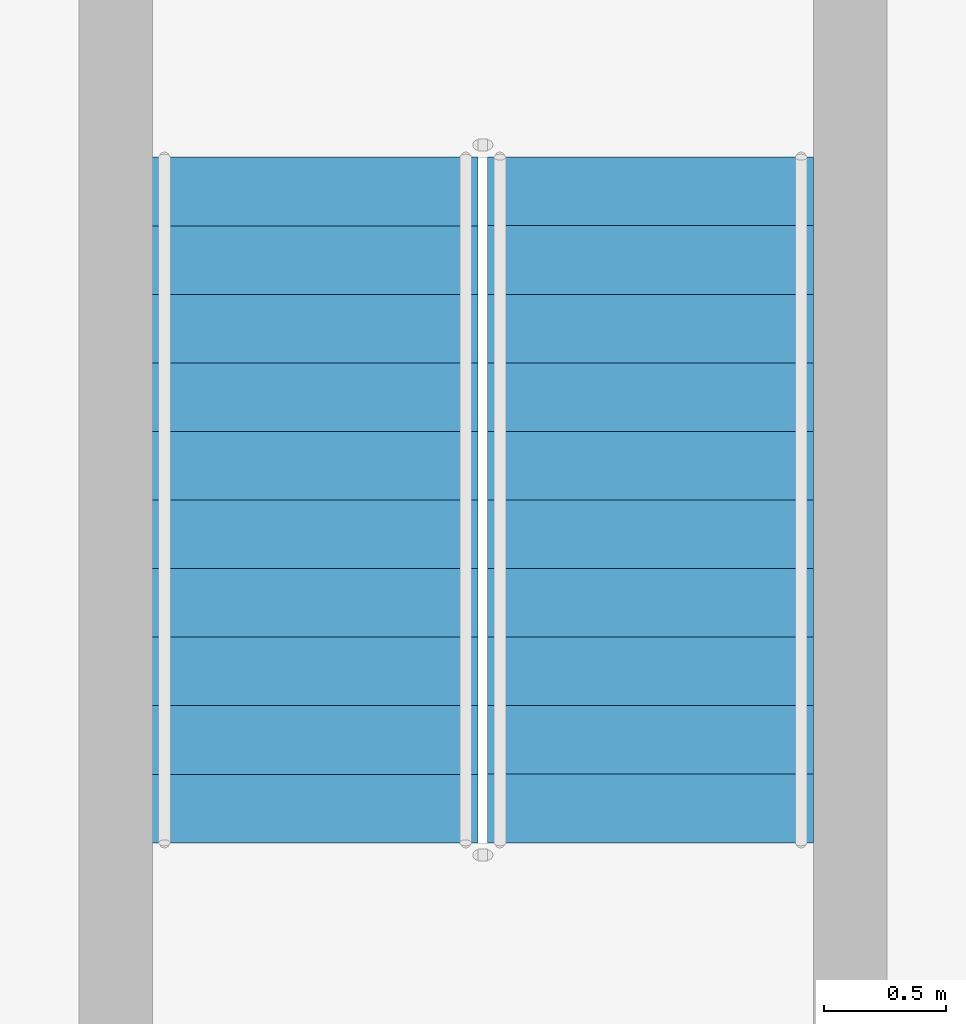
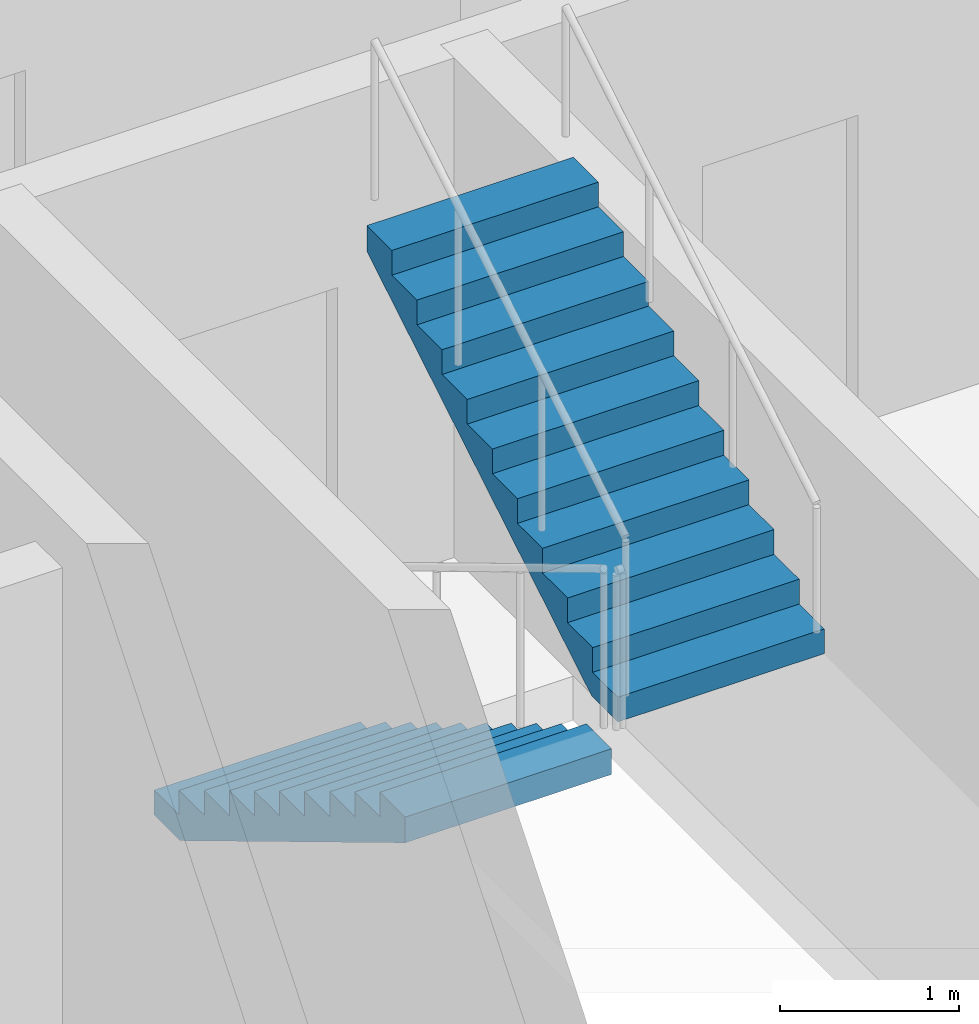
# One storey, part 26 of 34: 2 stair flights, 1 element without a shape of its own.
"""IFC4 building model written with IfcOpenShell, lengths in metres."""

from ifc_helpers import new_model, si_unit, direction, frame, origin, place, context, subcontext, project, spatial, triangles, source, transform, mapped, material, type_object, element, aggregate, save


model = new_model("IFC4")

# Units and contexts
model_context = context("Model", 3, precision=1e-05, world=origin(), true_north=direction((0.0, 1.0)))
body_context = subcontext(model_context, "Body", "Model", "MODEL_VIEW")
ifc_project = project(units=[si_unit("LENGTHUNIT", "METRE"), si_unit("AREAUNIT", "SQUARE_METRE"), si_unit("VOLUMEUNIT", "CUBIC_METRE"), si_unit("PLANEANGLEUNIT", "RADIAN"), si_unit("MASSUNIT", "GRAM", prefix="KILO")], contexts=[model_context])

# Site, building, storey
site_placement = place(None, origin())
site = spatial("IfcSite", under=ifc_project, at=site_placement, CompositionType="ELEMENT")
building_placement = place(site_placement, origin())
building = spatial("IfcBuilding", under=site, at=building_placement, Name="Ogive Portal Towers", CompositionType="ELEMENT")
storey_placement = place(building_placement, frame((0.0, 0.0, 66.800048828125)))
storey = spatial("IfcBuildingStorey", under=building, at=storey_placement, Name="L15", CompositionType="ELEMENT", Elevation=66.800048828125)

# Stair, stair flights
ifc_material = material(Name="Concrete C40/50", Category="concrete")
stair_type = type_object("IfcStairType", Name="INT-STAIR", PredefinedType="HALF_TURN_STAIR", material=ifc_material)
stair_placement = place(storey_placement, origin())
stair = element("IfcStair", 1, at=stair_placement, inside=storey, type_object=stair_type, Name="L15 Exit Stair ST-A4", PredefinedType="HALF_TURN_STAIR")
stair_flight_type = type_object("IfcStairFlightType", Name="INT-FLIGHT", PredefinedType="STRAIGHT", material=ifc_material)
shared_shape = source(origin(), body_context, "Body", "Tessellation", [
    triangles([(0.0, -0.6650390625, 0.0), (0.0, -0.384765625, 0.0), (0.0, -0.197021484375, 0.0), (0.0, -0.0830078125, 0.0), (0.0, -0.024658203125, 0.0), (0.0, -0.003173828125, 0.0), (0.0, 0.0, 0.0), (0.0, 0.003173828125, 0.0), (0.0, 0.024658203125, 0.0), (0.0, 0.0830078125, 0.0), (0.0, 0.197021484375, 0.0), (0.0, 0.384765625, 0.0), (0.0, 0.6650390625, 0.0), (0.0, -0.6650390625, 0.168212890625), (0.0, -0.384765625, 0.168212890625), (0.0, -0.197021484375, 0.168212890625), (0.0, -0.0830078125, 0.168212890625), (0.0, -0.024658203125, 0.168212890625), (0.0, -0.003173828125, 0.168212890625), (0.0, 0.0, 0.168212890625), (0.0, 0.003173828125, 0.168212890625), (0.0, 0.024658203125, 0.168212890625), (0.0, 0.0830078125, 0.168212890625), (0.0, 0.197021484375, 0.168212890625), (0.0, 0.384765625, 0.168212890625), (0.0, 0.6650390625, 0.168212890625), (0.280029296875, -0.6650390625, 0.168212890625), (0.280029296875, -0.384765625, 0.168212890625), (0.280029296875, -0.197021484375, 0.168212890625), (0.280029296875, -0.0830078125, 0.168212890625), (0.280029296875, -0.024658203125, 0.168212890625), (0.280029296875, -0.003173828125, 0.168212890625), (0.280029296875, 0.0, 0.168212890625), (0.280029296875, 0.003173828125, 0.168212890625), (0.280029296875, 0.024658203125, 0.168212890625), (0.280029296875, 0.0830078125, 0.168212890625), (0.280029296875, 0.197021484375, 0.168212890625), (0.280029296875, 0.384765625, 0.168212890625), (0.280029296875, 0.6650390625, 0.168212890625), (0.280029296875, -0.6650390625, 0.33642578125), (0.280029296875, -0.384765625, 0.33642578125), (0.280029296875, -0.197021484375, 0.33642578125), (0.280029296875, -0.0830078125, 0.33642578125), (0.280029296875, -0.024658203125, 0.33642578125), (0.280029296875, -0.003173828125, 0.33642578125), (0.280029296875, 0.0, 0.33642578125), (0.280029296875, 0.003173828125, 0.33642578125), (0.280029296875, 0.024658203125, 0.33642578125), (0.280029296875, 0.0830078125, 0.33642578125), (0.280029296875, 0.197021484375, 0.33642578125), (0.280029296875, 0.384765625, 0.33642578125), (0.280029296875, 0.6650390625, 0.33642578125), (0.56005859375, -0.6650390625, 0.33642578125), (0.56005859375, -0.384765625, 0.33642578125), (0.56005859375, -0.197021484375, 0.33642578125), (0.56005859375, -0.0830078125, 0.33642578125), (0.56005859375, -0.024658203125, 0.33642578125), (0.56005859375, -0.003173828125, 0.33642578125), (0.56005859375, 0.0, 0.33642578125), (0.56005859375, 0.003173828125, 0.33642578125), (0.56005859375, 0.024658203125, 0.33642578125), (0.56005859375, 0.0830078125, 0.33642578125), (0.56005859375, 0.197021484375, 0.33642578125), (0.56005859375, 0.384765625, 0.33642578125), (0.56005859375, 0.6650390625, 0.33642578125), (0.56005859375, -0.6650390625, 0.504638671875), (0.56005859375, -0.384765625, 0.504638671875), (0.56005859375, -0.197021484375, 0.504638671875), (0.56005859375, -0.0830078125, 0.504638671875), (0.56005859375, -0.024658203125, 0.504638671875), (0.56005859375, -0.003173828125, 0.504638671875), (0.56005859375, 0.0, 0.504638671875), (0.56005859375, 0.003173828125, 0.504638671875), (0.56005859375, 0.024658203125, 0.504638671875), (0.56005859375, 0.0830078125, 0.504638671875), (0.56005859375, 0.197021484375, 0.504638671875), (0.56005859375, 0.384765625, 0.504638671875), (0.56005859375, 0.6650390625, 0.504638671875), (0.840087890625, -0.6650390625, 0.504638671875), (0.840087890625, -0.384765625, 0.504638671875), (0.840087890625, -0.197021484375, 0.504638671875), (0.840087890625, -0.0830078125, 0.504638671875), (0.840087890625, -0.024658203125, 0.504638671875), (0.840087890625, -0.003173828125, 0.504638671875), (0.840087890625, 0.0, 0.504638671875), (0.840087890625, 0.003173828125, 0.504638671875), (0.840087890625, 0.024658203125, 0.504638671875), (0.840087890625, 0.0830078125, 0.504638671875), (0.840087890625, 0.197021484375, 0.504638671875), (0.840087890625, 0.384765625, 0.504638671875), (0.840087890625, 0.6650390625, 0.504638671875), (0.840087890625, -0.6650390625, 0.672607421875), (0.840087890625, -0.384765625, 0.672607421875), (0.840087890625, -0.197021484375, 0.672607421875), (0.840087890625, -0.0830078125, 0.672607421875), (0.840087890625, -0.024658203125, 0.672607421875), (0.840087890625, -0.003173828125, 0.672607421875), (0.840087890625, 0.0, 0.672607421875), (0.840087890625, 0.003173828125, 0.672607421875), (0.840087890625, 0.024658203125, 0.672607421875), (0.840087890625, 0.0830078125, 0.672607421875), (0.840087890625, 0.197021484375, 0.672607421875), (0.840087890625, 0.384765625, 0.672607421875), (0.840087890625, 0.6650390625, 0.672607421875), (1.1201171875, -0.6650390625, 0.672607421875), (1.1201171875, -0.384765625, 0.672607421875), (1.1201171875, -0.197021484375, 0.672607421875), (1.1201171875, -0.0830078125, 0.672607421875), (1.1201171875, -0.024658203125, 0.672607421875), (1.1201171875, -0.003173828125, 0.672607421875), (1.1201171875, 0.0, 0.672607421875), (1.1201171875, 0.003173828125, 0.672607421875), (1.1201171875, 0.024658203125, 0.672607421875), (1.1201171875, 0.0830078125, 0.672607421875), (1.1201171875, 0.197021484375, 0.672607421875), (1.1201171875, 0.384765625, 0.672607421875), (1.1201171875, 0.6650390625, 0.672607421875), (1.1201171875, -0.6650390625, 0.8408203125), (1.1201171875, -0.384765625, 0.8408203125), (1.1201171875, -0.197021484375, 0.8408203125), (1.1201171875, -0.0830078125, 0.8408203125), (1.1201171875, -0.024658203125, 0.8408203125), (1.1201171875, -0.003173828125, 0.8408203125), (1.1201171875, 0.0, 0.8408203125), (1.1201171875, 0.003173828125, 0.8408203125), (1.1201171875, 0.024658203125, 0.8408203125), (1.1201171875, 0.0830078125, 0.8408203125), (1.1201171875, 0.197021484375, 0.8408203125), (1.1201171875, 0.384765625, 0.8408203125), (1.1201171875, 0.6650390625, 0.8408203125), (1.39990234375, -0.6650390625, 0.8408203125), (1.39990234375, -0.384765625, 0.8408203125), (1.39990234375, -0.197021484375, 0.8408203125), (1.39990234375, -0.0830078125, 0.8408203125), (1.39990234375, -0.024658203125, 0.8408203125), (1.39990234375, -0.003173828125, 0.8408203125), (1.39990234375, 0.0, 0.8408203125), (1.39990234375, 0.003173828125, 0.8408203125), (1.39990234375, 0.024658203125, 0.8408203125), (1.39990234375, 0.0830078125, 0.8408203125), (1.39990234375, 0.197021484375, 0.8408203125), (1.39990234375, 0.384765625, 0.8408203125), (1.39990234375, 0.6650390625, 0.8408203125), (1.39990234375, -0.6650390625, 1.009033203125), (1.39990234375, -0.384765625, 1.009033203125), (1.39990234375, -0.197021484375, 1.009033203125), (1.39990234375, -0.0830078125, 1.009033203125), (1.39990234375, -0.024658203125, 1.009033203125), (1.39990234375, -0.003173828125, 1.009033203125), (1.39990234375, 0.0, 1.009033203125), (1.39990234375, 0.003173828125, 1.009033203125), (1.39990234375, 0.024658203125, 1.009033203125), (1.39990234375, 0.0830078125, 1.009033203125), (1.39990234375, 0.197021484375, 1.009033203125), (1.39990234375, 0.384765625, 1.009033203125), (1.39990234375, 0.6650390625, 1.009033203125), (1.679931640625, -0.6650390625, 1.009033203125), (1.679931640625, -0.384765625, 1.009033203125), (1.679931640625, -0.197021484375, 1.009033203125), (1.679931640625, -0.0830078125, 1.009033203125), (1.679931640625, -0.024658203125, 1.009033203125), (1.679931640625, -0.003173828125, 1.009033203125), (1.679931640625, 0.0, 1.009033203125), (1.679931640625, 0.003173828125, 1.009033203125), (1.679931640625, 0.024658203125, 1.009033203125), (1.679931640625, 0.0830078125, 1.009033203125), (1.679931640625, 0.197021484375, 1.009033203125), (1.679931640625, 0.384765625, 1.009033203125), (1.679931640625, 0.6650390625, 1.009033203125), (1.679931640625, -0.6650390625, 1.17724609375), (1.679931640625, -0.384765625, 1.17724609375), (1.679931640625, -0.197021484375, 1.17724609375), (1.679931640625, -0.0830078125, 1.17724609375), (1.679931640625, -0.024658203125, 1.17724609375), (1.679931640625, -0.003173828125, 1.17724609375), (1.679931640625, 0.0, 1.17724609375), (1.679931640625, 0.003173828125, 1.17724609375), (1.679931640625, 0.024658203125, 1.17724609375), (1.679931640625, 0.0830078125, 1.17724609375), (1.679931640625, 0.197021484375, 1.17724609375), (1.679931640625, 0.384765625, 1.17724609375), (1.679931640625, 0.6650390625, 1.17724609375), (1.9599609375, -0.6650390625, 1.17724609375), (1.9599609375, -0.384765625, 1.17724609375), (1.9599609375, -0.197021484375, 1.17724609375), (1.9599609375, -0.0830078125, 1.17724609375), (1.9599609375, -0.024658203125, 1.17724609375), (1.9599609375, -0.003173828125, 1.17724609375), (1.9599609375, 0.0, 1.17724609375), (1.9599609375, 0.003173828125, 1.17724609375), (1.9599609375, 0.024658203125, 1.17724609375), (1.9599609375, 0.0830078125, 1.17724609375), (1.9599609375, 0.197021484375, 1.17724609375), (1.9599609375, 0.384765625, 1.17724609375), (1.9599609375, 0.6650390625, 1.17724609375), (1.9599609375, -0.6650390625, 1.345458984375), (1.9599609375, -0.384765625, 1.345458984375), (1.9599609375, -0.197021484375, 1.345458984375), (1.9599609375, -0.0830078125, 1.345458984375), (1.9599609375, -0.024658203125, 1.345458984375), (1.9599609375, -0.003173828125, 1.345458984375), (1.9599609375, 0.0, 1.345458984375), (1.9599609375, 0.003173828125, 1.345458984375), (1.9599609375, 0.024658203125, 1.345458984375), (1.9599609375, 0.0830078125, 1.345458984375), (1.9599609375, 0.197021484375, 1.345458984375), (1.9599609375, 0.384765625, 1.345458984375), (1.9599609375, 0.6650390625, 1.345458984375), (2.239990234375, -0.6650390625, 1.345458984375), (2.239990234375, -0.384765625, 1.345458984375), (2.239990234375, -0.197021484375, 1.345458984375), (2.239990234375, -0.0830078125, 1.345458984375), (2.239990234375, -0.024658203125, 1.345458984375), (2.239990234375, -0.003173828125, 1.345458984375), (2.239990234375, 0.0, 1.345458984375), (2.239990234375, 0.003173828125, 1.345458984375), (2.239990234375, 0.024658203125, 1.345458984375), (2.239990234375, 0.0830078125, 1.345458984375), (2.239990234375, 0.197021484375, 1.345458984375), (2.239990234375, 0.384765625, 1.345458984375), (2.239990234375, 0.6650390625, 1.345458984375), (2.239990234375, -0.6650390625, 1.513671875), (2.239990234375, -0.384765625, 1.513671875), (2.239990234375, -0.197021484375, 1.513671875), (2.239990234375, -0.0830078125, 1.513671875), (2.239990234375, -0.024658203125, 1.513671875), (2.239990234375, -0.003173828125, 1.513671875), (2.239990234375, 0.0, 1.513671875), (2.239990234375, 0.003173828125, 1.513671875), (2.239990234375, 0.024658203125, 1.513671875), (2.239990234375, 0.0830078125, 1.513671875), (2.239990234375, 0.197021484375, 1.513671875), (2.239990234375, 0.384765625, 1.513671875), (2.239990234375, 0.6650390625, 1.513671875), (2.52001953125, -0.6650390625, 1.513671875), (2.52001953125, -0.384765625, 1.513671875), (2.52001953125, -0.197021484375, 1.513671875), (2.52001953125, -0.0830078125, 1.513671875), (2.52001953125, -0.024658203125, 1.513671875), (2.52001953125, -0.003173828125, 1.513671875), (2.52001953125, 0.0, 1.513671875), (2.52001953125, 0.003173828125, 1.513671875), (2.52001953125, 0.024658203125, 1.513671875), (2.52001953125, 0.0830078125, 1.513671875), (2.52001953125, 0.197021484375, 1.513671875), (2.52001953125, 0.384765625, 1.513671875), (2.52001953125, 0.6650390625, 1.513671875), (2.52001953125, -0.6650390625, 1.681884765625), (2.52001953125, -0.384765625, 1.681884765625), (2.52001953125, -0.197021484375, 1.681884765625), (2.52001953125, -0.0830078125, 1.681884765625), (2.52001953125, -0.024658203125, 1.681884765625), (2.52001953125, -0.003173828125, 1.681884765625), (2.52001953125, 0.0, 1.681884765625), (2.52001953125, 0.003173828125, 1.681884765625), (2.52001953125, 0.024658203125, 1.681884765625), (2.52001953125, 0.0830078125, 1.681884765625), (2.52001953125, 0.197021484375, 1.681884765625), (2.52001953125, 0.384765625, 1.681884765625), (2.52001953125, 0.6650390625, 1.681884765625), (2.800048828125, -0.6650390625, 1.681884765625), (2.800048828125, -0.384765625, 1.681884765625), (2.800048828125, -0.197021484375, 1.681884765625), (2.800048828125, -0.0830078125, 1.681884765625), (2.800048828125, -0.024658203125, 1.681884765625), (2.800048828125, -0.003173828125, 1.681884765625), (2.800048828125, 0.0, 1.681884765625), (2.800048828125, 0.003173828125, 1.681884765625), (2.800048828125, 0.024658203125, 1.681884765625), (2.800048828125, 0.0830078125, 1.681884765625), (2.800048828125, 0.197021484375, 1.681884765625), (2.800048828125, 0.384765625, 1.681884765625), (2.800048828125, 0.6650390625, 1.681884765625), (2.800048828125, -0.6650390625, 1.5068359375), (2.800048828125, -0.384765625, 1.5068359375), (2.800048828125, -0.197021484375, 1.5068359375), (2.800048828125, -0.0830078125, 1.5068359375), (2.800048828125, -0.024658203125, 1.5068359375), (2.800048828125, -0.003173828125, 1.5068359375), (2.800048828125, 0.0, 1.5068359375), (2.800048828125, 0.003173828125, 1.5068359375), (2.800048828125, 0.024658203125, 1.5068359375), (2.800048828125, 0.0830078125, 1.5068359375), (2.800048828125, 0.197021484375, 1.5068359375), (2.800048828125, 0.384765625, 1.5068359375), (2.800048828125, 0.6650390625, 1.5068359375), (0.291015625, -0.6650390625, 0.0), (0.291015625, -0.384765625, 0.0), (0.291015625, -0.197021484375, 0.0), (0.291015625, -0.0830078125, 0.0), (0.291015625, -0.024658203125, 0.0), (0.291015625, -0.003173828125, 0.0), (0.291015625, 0.0, 0.0), (0.291015625, 0.003173828125, 0.0), (0.291015625, 0.024658203125, 0.0), (0.291015625, 0.0830078125, 0.0), (0.291015625, 0.197021484375, 0.0), (0.291015625, 0.384765625, 0.0), (0.291015625, 0.6650390625, 0.0)], [[1, 14, 15], [1, 15, 2], [2, 15, 16], [2, 16, 3], [3, 16, 17], [3, 17, 4], [4, 17, 18], [4, 18, 5], [5, 18, 19], [5, 19, 6], [6, 19, 20], [6, 20, 7], [7, 20, 21], [7, 21, 8], [8, 21, 22], [8, 22, 9], [9, 22, 23], [9, 23, 10], [10, 23, 24], [10, 24, 11], [11, 24, 25], [11, 25, 12], [12, 25, 26], [12, 26, 13], [14, 27, 28], [14, 28, 15], [15, 28, 29], [15, 29, 16], [16, 29, 30], [16, 30, 17], [17, 30, 31], [17, 31, 18], [18, 31, 32], [18, 32, 19], [19, 32, 33], [19, 33, 20], [20, 33, 34], [20, 34, 21], [21, 34, 35], [21, 35, 22], [22, 35, 36], [22, 36, 23], [23, 36, 37], [23, 37, 24], [24, 37, 38], [24, 38, 25], [25, 38, 39], [25, 39, 26], [27, 40, 41], [27, 41, 28], [28, 41, 42], [28, 42, 29], [29, 42, 43], [29, 43, 30], [30, 43, 44], [30, 44, 31], [31, 44, 45], [31, 45, 32], [32, 45, 46], [32, 46, 33], [33, 46, 47], [33, 47, 34], [34, 47, 48], [34, 48, 35], [35, 48, 49], [35, 49, 36], [36, 49, 50], [36, 50, 37], [37, 50, 51], [37, 51, 38], [38, 51, 52], [38, 52, 39], [40, 53, 54], [40, 54, 41], [41, 54, 55], [41, 55, 42], [42, 55, 56], [42, 56, 43], [43, 56, 57], [43, 57, 44], [44, 57, 58], [44, 58, 45], [45, 58, 59], [45, 59, 46], [46, 59, 60], [46, 60, 47], [47, 60, 61], [47, 61, 48], [48, 61, 62], [48, 62, 49], [49, 62, 63], [49, 63, 50], [50, 63, 64], [50, 64, 51], [51, 64, 65], [51, 65, 52], [53, 66, 67], [53, 67, 54], [54, 67, 68], [54, 68, 55], [55, 68, 69], [55, 69, 56], [56, 69, 70], [56, 70, 57], [57, 70, 71], [57, 71, 58], [58, 71, 72], [58, 72, 59], [59, 72, 73], [59, 73, 60], [60, 73, 74], [60, 74, 61], [61, 74, 75], [61, 75, 62], [62, 75, 76], [62, 76, 63], [63, 76, 77], [63, 77, 64], [64, 77, 78], [64, 78, 65], [66, 79, 80], [66, 80, 67], [67, 80, 81], [67, 81, 68], [68, 81, 82], [68, 82, 69], [69, 82, 83], [69, 83, 70], [70, 83, 84], [70, 84, 71], [71, 84, 85], [71, 85, 72], [72, 85, 86], [72, 86, 73], [73, 86, 87], [73, 87, 74], [74, 87, 88], [74, 88, 75], [75, 88, 89], [75, 89, 76], [76, 89, 90], [76, 90, 77], [77, 90, 91], [77, 91, 78], [79, 92, 93], [79, 93, 80], [80, 93, 94], [80, 94, 81], [81, 94, 95], [81, 95, 82], [82, 95, 96], [82, 96, 83], [83, 96, 97], [83, 97, 84], [84, 97, 98], [84, 98, 85], [85, 98, 99], [85, 99, 86], [86, 99, 100], [86, 100, 87], [87, 100, 101], [87, 101, 88], [88, 101, 102], [88, 102, 89], [89, 102, 103], [89, 103, 90], [90, 103, 104], [90, 104, 91], [92, 105, 106], [92, 106, 93], [93, 106, 107], [93, 107, 94], [94, 107, 108], [94, 108, 95], [95, 108, 109], [95, 109, 96], [96, 109, 110], [96, 110, 97], [97, 110, 111], [97, 111, 98], [98, 111, 112], [98, 112, 99], [99, 112, 113], [99, 113, 100], [100, 113, 114], [100, 114, 101], [101, 114, 115], [101, 115, 102], [102, 115, 116], [102, 116, 103], [103, 116, 117], [103, 117, 104], [105, 118, 119], [105, 119, 106], [106, 119, 120], [106, 120, 107], [107, 120, 121], [107, 121, 108], [108, 121, 122], [108, 122, 109], [109, 122, 123], [109, 123, 110], [110, 123, 124], [110, 124, 111], [111, 124, 125], [111, 125, 112], [112, 125, 126], [112, 126, 113], [113, 126, 127], [113, 127, 114], [114, 127, 128], [114, 128, 115], [115, 128, 129], [115, 129, 116], [116, 129, 130], [116, 130, 117], [118, 131, 132], [118, 132, 119], [119, 132, 133], [119, 133, 120], [120, 133, 134], [120, 134, 121], [121, 134, 135], [121, 135, 122], [122, 135, 136], [122, 136, 123], [123, 136, 137], [123, 137, 124], [124, 137, 138], [124, 138, 125], [125, 138, 139], [125, 139, 126], [126, 139, 140], [126, 140, 127], [127, 140, 141], [127, 141, 128], [128, 141, 142], [128, 142, 129], [129, 142, 143], [129, 143, 130], [131, 144, 145], [131, 145, 132], [132, 145, 146], [132, 146, 133], [133, 146, 147], [133, 147, 134], [134, 147, 148], [134, 148, 135], [135, 148, 149], [135, 149, 136], [136, 149, 150], [136, 150, 137], [137, 150, 151], [137, 151, 138], [138, 151, 152], [138, 152, 139], [139, 152, 153], [139, 153, 140], [140, 153, 154], [140, 154, 141], [141, 154, 155], [141, 155, 142], [142, 155, 156], [142, 156, 143], [144, 157, 158], [144, 158, 145], [145, 158, 159], [145, 159, 146], [146, 159, 160], [146, 160, 147], [147, 160, 161], [147, 161, 148], [148, 161, 162], [148, 162, 149], [149, 162, 163], [149, 163, 150], [150, 163, 164], [150, 164, 151], [151, 164, 165], [151, 165, 152], [152, 165, 166], [152, 166, 153], [153, 166, 167], [153, 167, 154], [154, 167, 168], [154, 168, 155], [155, 168, 169], [155, 169, 156], [157, 170, 171], [157, 171, 158], [158, 171, 172], [158, 172, 159], [159, 172, 173], [159, 173, 160], [160, 173, 174], [160, 174, 161], [161, 174, 175], [161, 175, 162], [162, 175, 176], [162, 176, 163], [163, 176, 177], [163, 177, 164], [164, 177, 178], [164, 178, 165], [165, 178, 179], [165, 179, 166], [166, 179, 180], [166, 180, 167], [167, 180, 181], [167, 181, 168], [168, 181, 182], [168, 182, 169], [170, 183, 184], [170, 184, 171], [171, 184, 185], [171, 185, 172], [172, 185, 186], [172, 186, 173], [173, 186, 187], [173, 187, 174], [174, 187, 188], [174, 188, 175], [175, 188, 189], [175, 189, 176], [176, 189, 190], [176, 190, 177], [177, 190, 191], [177, 191, 178], [178, 191, 192], [178, 192, 179], [179, 192, 193], [179, 193, 180], [180, 193, 194], [180, 194, 181], [181, 194, 195], [181, 195, 182], [183, 196, 197], [183, 197, 184], [184, 197, 198], [184, 198, 185], [185, 198, 199], [185, 199, 186], [186, 199, 200], [186, 200, 187], [187, 200, 201], [187, 201, 188], [188, 201, 202], [188, 202, 189], [189, 202, 203], [189, 203, 190], [190, 203, 204], [190, 204, 191], [191, 204, 205], [191, 205, 192], [192, 205, 206], [192, 206, 193], [193, 206, 207], [193, 207, 194], [194, 207, 208], [194, 208, 195], [196, 209, 210], [196, 210, 197], [197, 210, 211], [197, 211, 198], [198, 211, 212], [198, 212, 199], [199, 212, 213], [199, 213, 200], [200, 213, 214], [200, 214, 201], [201, 214, 215], [201, 215, 202], [202, 215, 216], [202, 216, 203], [203, 216, 217], [203, 217, 204], [204, 217, 218], [204, 218, 205], [205, 218, 219], [205, 219, 206], [206, 219, 220], [206, 220, 207], [207, 220, 221], [207, 221, 208], [209, 222, 223], [209, 223, 210], [210, 223, 224], [210, 224, 211], [211, 224, 225], [211, 225, 212], [212, 225, 226], [212, 226, 213], [213, 226, 227], [213, 227, 214], [214, 227, 228], [214, 228, 215], [215, 228, 229], [215, 229, 216], [216, 229, 230], [216, 230, 217], [217, 230, 231], [217, 231, 218], [218, 231, 232], [218, 232, 219], [219, 232, 233], [219, 233, 220], [220, 233, 234], [220, 234, 221], [222, 235, 236], [222, 236, 223], [223, 236, 237], [223, 237, 224], [224, 237, 238], [224, 238, 225], [225, 238, 239], [225, 239, 226], [226, 239, 240], [226, 240, 227], [227, 240, 241], [227, 241, 228], [228, 241, 242], [228, 242, 229], [229, 242, 243], [229, 243, 230], [230, 243, 244], [230, 244, 231], [231, 244, 245], [231, 245, 232], [232, 245, 246], [232, 246, 233], [233, 246, 247], [233, 247, 234], [235, 248, 249], [235, 249, 236], [236, 249, 250], [236, 250, 237], [237, 250, 251], [237, 251, 238], [238, 251, 252], [238, 252, 239], [239, 252, 253], [239, 253, 240], [240, 253, 254], [240, 254, 241], [241, 254, 255], [241, 255, 242], [242, 255, 256], [242, 256, 243], [243, 256, 257], [243, 257, 244], [244, 257, 258], [244, 258, 245], [245, 258, 259], [245, 259, 246], [246, 259, 260], [246, 260, 247], [248, 261, 262], [248, 262, 249], [249, 262, 263], [249, 263, 250], [250, 263, 264], [250, 264, 251], [251, 264, 265], [251, 265, 252], [252, 265, 266], [252, 266, 253], [253, 266, 267], [253, 267, 254], [254, 267, 268], [254, 268, 255], [255, 268, 269], [255, 269, 256], [256, 269, 270], [256, 270, 257], [257, 270, 271], [257, 271, 258], [258, 271, 272], [258, 272, 259], [259, 272, 273], [259, 273, 260], [261, 274, 275], [261, 275, 262], [262, 275, 276], [262, 276, 263], [263, 276, 277], [263, 277, 264], [264, 277, 278], [264, 278, 265], [265, 278, 279], [265, 279, 266], [266, 279, 280], [266, 280, 267], [267, 280, 281], [267, 281, 268], [268, 281, 282], [268, 282, 269], [269, 282, 283], [269, 283, 270], [270, 283, 284], [270, 284, 271], [271, 284, 285], [271, 285, 272], [272, 285, 286], [272, 286, 273], [274, 287, 288], [274, 288, 275], [275, 288, 289], [275, 289, 276], [276, 289, 290], [276, 290, 277], [277, 290, 291], [277, 291, 278], [278, 291, 292], [278, 292, 279], [279, 292, 293], [279, 293, 280], [280, 293, 294], [280, 294, 281], [281, 294, 295], [281, 295, 282], [282, 295, 296], [282, 296, 283], [283, 296, 297], [283, 297, 284], [284, 297, 298], [284, 298, 285], [285, 298, 299], [285, 299, 286], [287, 1, 2], [287, 2, 288], [288, 2, 3], [288, 3, 289], [289, 3, 4], [289, 4, 290], [290, 4, 5], [290, 5, 291], [291, 5, 6], [291, 6, 292], [292, 6, 7], [292, 7, 293], [293, 7, 8], [293, 8, 294], [294, 8, 9], [294, 9, 295], [295, 9, 10], [295, 10, 296], [296, 10, 11], [296, 11, 297], [297, 11, 12], [297, 12, 298], [298, 12, 13], [298, 13, 299], [1, 287, 274], [13, 286, 299], [274, 261, 248], [286, 260, 273], [274, 248, 235], [286, 247, 260], [274, 235, 222], [286, 234, 247], [274, 222, 209], [286, 221, 234], [209, 196, 183], [221, 195, 208], [274, 209, 183], [286, 195, 221], [183, 170, 157], [195, 169, 182], [274, 183, 157], [286, 169, 195], [157, 144, 131], [169, 143, 156], [274, 157, 131], [286, 143, 169], [131, 118, 105], [143, 117, 130], [274, 131, 105], [286, 117, 143], [1, 274, 105], [13, 117, 286], [105, 92, 79], [117, 91, 104], [79, 66, 53], [91, 65, 78], [105, 79, 53], [117, 65, 91], [53, 40, 27], [65, 39, 52], [105, 53, 27], [117, 39, 65], [1, 105, 27], [13, 39, 117], [27, 14, 1], [39, 13, 26]], closed=True),
])
stair_flight_1_placement = place(storey_placement, frame((87.6650390625, 29.169921875, 0.0), z_axis=(0.0, 0.0, 1.0), x_axis=(0.0, -1.0, 0.0)))
stair_flight_1 = element("IfcStairFlight", 2, at=stair_flight_1_placement, type_object=stair_flight_type, Name="ST-A4 flight 1", NumberOfRisers=11, NumberOfTreads=10, PredefinedType="STRAIGHT", RiserHeight=0.168181818, TreadLength=0.28, context=body_context, shape_type="MappedRepresentation", body=[
    mapped(shared_shape, transform((0.0, 0.0, 0.0), scale=1.0)),
])
stair_flight_2_placement = place(storey_placement, frame((89.034912109375, 26.3701171875, 1.849853515625), z_axis=(0.0, 0.0, 1.0), x_axis=(0.0, 1.0, 0.0)))
stair_flight_2 = element("IfcStairFlight", 3, at=stair_flight_2_placement, type_object=stair_flight_type, Name="ST-A4 flight 2", NumberOfRisers=11, NumberOfTreads=10, PredefinedType="STRAIGHT", RiserHeight=0.168181818, TreadLength=0.28, context=body_context, shape_type="MappedRepresentation", body=[
    mapped(shared_shape, transform((0.0, 0.0, 0.0), scale=1.0)),
])
aggregate(stair, [stair_flight_1, stair_flight_2])

save(model, "model.ifc")
